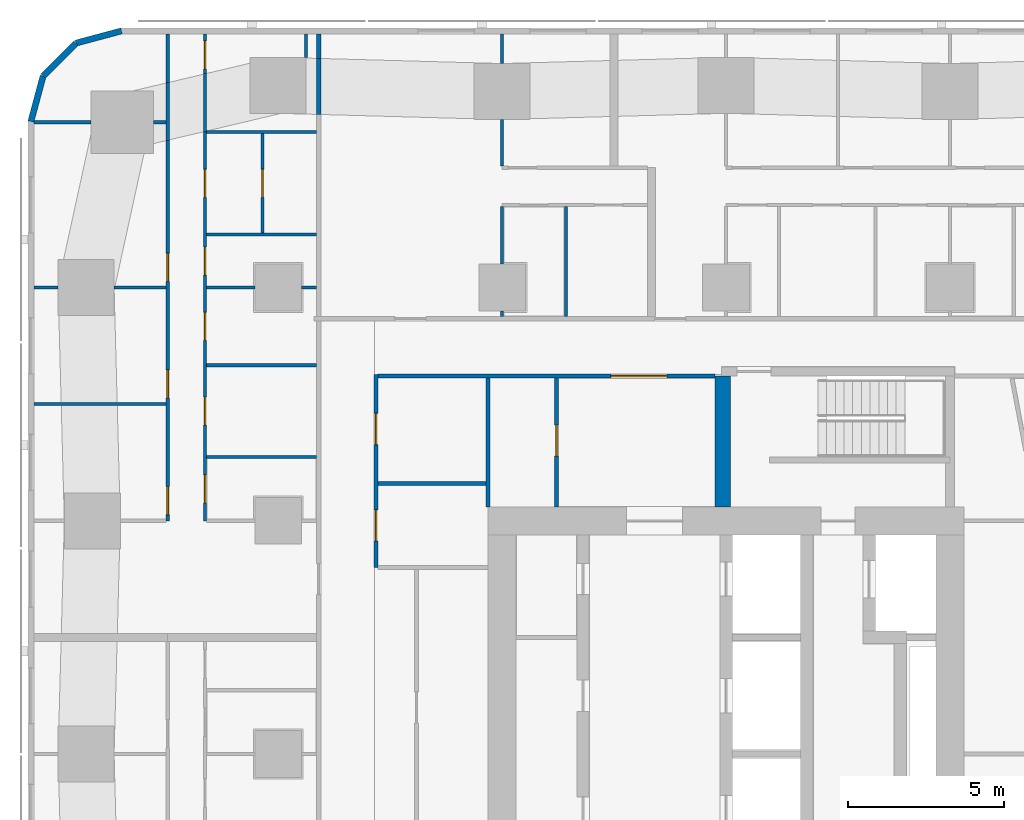
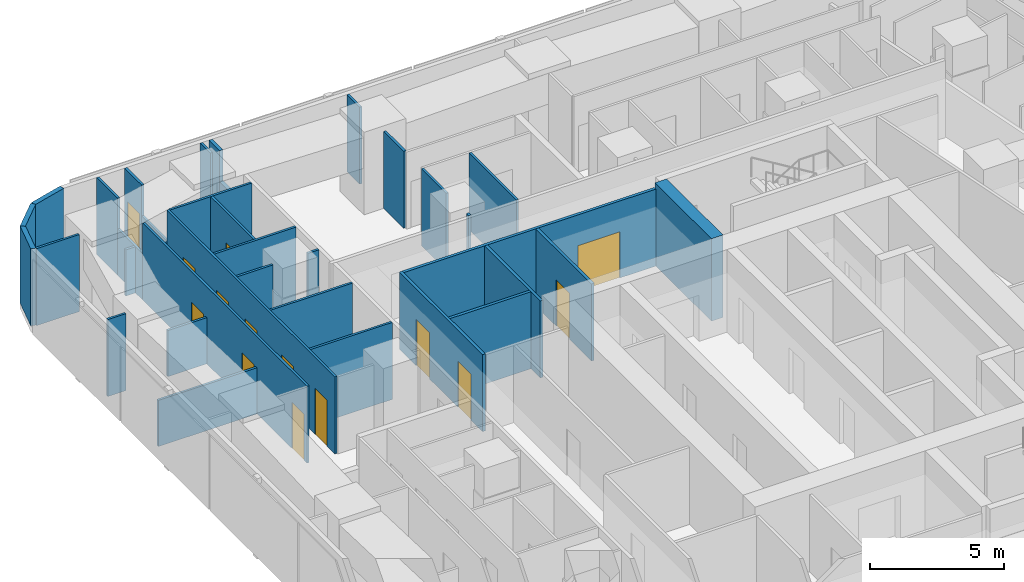
# One storey, part 9 of 15: 35 walls, 14 doors, 14 openings.
"""IFC4 building model written with IfcOpenShell, lengths in metres."""

from ifc_helpers import new_model, si_unit, direction, frame, frame_2d, origin, place, context, subcontext, project, spatial, rectangle, extrude, material, layer, layer_set, type_object, element, fill, save


model = new_model("IFC4")

# Units and contexts
model_context = context("Model", 3, precision=1e-05, world=origin(), true_north=direction((0.0, 1.0)))
body_context = subcontext(model_context, "Body", "Model", "MODEL_VIEW")
ifc_project = project(units=[si_unit("LENGTHUNIT", "METRE"), si_unit("AREAUNIT", "SQUARE_METRE"), si_unit("VOLUMEUNIT", "CUBIC_METRE"), si_unit("PLANEANGLEUNIT", "RADIAN"), si_unit("MASSUNIT", "GRAM", prefix="KILO")], contexts=[model_context])

# Site, building, storey
site_placement = place(None, origin())
site = spatial("IfcSite", under=ifc_project, at=site_placement, CompositionType="ELEMENT")
building_placement = place(site_placement, origin())
building = spatial("IfcBuilding", under=site, at=building_placement, Name="Sheger Commons Tower", CompositionType="ELEMENT")
storey_placement = place(building_placement, frame((0.0, 0.0, 158.300048828125)))
storey = spatial("IfcBuildingStorey", under=building, at=storey_placement, Name="L40", CompositionType="ELEMENT", Elevation=158.300048828125)

# Walls
ifc_material_1 = material(Name="Hollow concrete block masonry, skimmed both sides", Category="masonry")
ifc_layer_1 = layer(ifc_material_1, 0.14990234375)
ifc_layer_set_1 = layer_set([ifc_layer_1], Name="CORRIDOR WALL 150")
wall_type_1 = type_object("IfcWallType", Name="CORRIDOR WALL 150", PredefinedType="SOLIDWALL", material=ifc_layer_set_1)
wall_1_placement = place(storey_placement, frame((8.5, 43.06103515625, 0.0), z_axis=(0.0, 0.0, 1.0), x_axis=(0.0, 1.0, 0.0)))
element("IfcWall", 1, at=wall_1_placement, inside=storey, type_object=wall_type_1, Name="Corridor wall L40", PredefinedType="SOLIDWALL", context=body_context, shape_type="SweptSolid", body=[
    extrude(rectangle(XDim=1.804931640625, YDim=0.14990234375, at=frame_2d((0.90234375, 0.0))), origin(), (0.0, 0.0, 1.0), 2.099853515625),
])
wall_2_placement = place(storey_placement, frame((8.5, 44.865966796875, 0.0), z_axis=(0.0, 0.0, 1.0), x_axis=(0.0, 1.0, 0.0)))
element("IfcWall", 2, at=wall_2_placement, inside=storey, type_object=wall_type_1, Name="Corridor wall L40", PredefinedType="SOLIDWALL", context=body_context, shape_type="SweptSolid", body=[
    extrude(rectangle(XDim=0.783935546875, YDim=0.14990234375, at=frame_2d((0.39208984375, 0.0))), origin(), (0.0, 0.0, 1.0), 3.5),
])
ifc_material_2 = material(Name="Rendered concrete block masonry, dark grey", Category="masonry")
ifc_layer_2 = layer(ifc_material_2, 0.199951171875)
ifc_layer_set_2 = layer_set([ifc_layer_2], Name="FACADE WALL 200")
wall_type_2 = type_object("IfcWallType", Name="FACADE WALL 200", PredefinedType="SOLIDWALL", material=ifc_layer_set_2)
wall_3_placement = place(storey_placement, frame((2.1630859375, 45.75, 0.0), z_axis=(0.0, 0.0, 1.0), x_axis=(-0.965832000415, -0.259168954497, 0.0)))
element("IfcWall", 3, at=wall_3_placement, inside=storey, type_object=wall_type_2, Name="Facade wall L40", PredefinedType="SOLIDWALL", context=body_context, shape_type="SweptSolid", body=[
    extrude(rectangle(XDim=1.512939453125, YDim=0.199951171875, at=frame_2d((0.75634765625, 0.0))), origin(), (0.0, 0.0, 1.0), 3.5),
])
wall_4_placement = place(storey_placement, frame((0.701904296875, 45.35791015625, 0.0), z_axis=(0.0, 0.0, 1.0), x_axis=(-0.707106781187, -0.707106781187, 0.0)))
element("IfcWall", 4, at=wall_4_placement, inside=storey, type_object=wall_type_2, Name="Facade wall L40", PredefinedType="SOLIDWALL", context=body_context, shape_type="SweptSolid", body=[
    extrude(rectangle(XDim=1.498779296875, YDim=0.199951171875, at=frame_2d((0.74951171875, 0.0))), origin(), (0.0, 0.0, 1.0), 3.5),
])
wall_5_placement = place(storey_placement, frame((-0.35791015625, 44.298095703125, 0.0), z_axis=(0.0, 0.0, 1.0), x_axis=(-0.259168954497, -0.965832000415, 0.0)))
element("IfcWall", 5, at=wall_5_placement, inside=storey, type_object=wall_type_2, Name="Facade wall L40", PredefinedType="SOLIDWALL", context=body_context, shape_type="SweptSolid", body=[
    extrude(rectangle(XDim=1.512939453125, YDim=0.199951171875, at=frame_2d((0.75634765625, 0.0))), origin(), (0.0, 0.0, 1.0), 3.5),
])
ifc_material_3 = material(Name="Gypsum board on steel studs", Category="steel")
ifc_layer_3 = layer(ifc_material_3, 0.10009765625)
ifc_layer_set_3 = layer_set([ifc_layer_3], Name="PARTITION 100")
wall_type_3 = type_object("IfcWallType", Name="PARTITION 100", PredefinedType="PARTITIONING", material=ifc_layer_set_3)
wall_6_placement = place(storey_placement, frame((8.10009765625, 45.64990234375, 0.0), z_axis=(0.0, 0.0, 1.0), x_axis=(0.0, -1.0, 0.0)))
element("IfcWall", 6, at=wall_6_placement, inside=storey, type_object=wall_type_3, Name="Partition L40", PredefinedType="PARTITIONING", context=body_context, shape_type="SweptSolid", body=[
    extrude(rectangle(XDim=0.7490234375, YDim=0.10009765625, at=frame_2d((0.37451171875, 0.0))), origin(), (0.0, 0.0, 1.0), 3.5),
])

# Wall, openings, doors
wall_7_placement = place(storey_placement, frame((3.64990234375, 30.0, 0.0), z_axis=(0.0, 0.0, 1.0), x_axis=(0.0, 1.0, 0.0)))
wall_7 = element("IfcWall", 7, at=wall_7_placement, inside=storey, type_object=wall_type_3, Name="Partition L40", PredefinedType="PARTITIONING", context=body_context, shape_type="SweptSolid", body=[
    extrude(rectangle(XDim=12.22412109375, YDim=0.10009765625, at=frame_2d((6.112060546875, 0.0))), origin(), (0.0, 0.0, 1.0), 3.5),
])
opening_1_placement = place(wall_7_placement, frame((0.199951171875, 0.0, 0.0)))
opening_1 = element("IfcOpeningElement", 8, at=opening_1_placement, cuts=wall_7, Name="Opening D2", PredefinedType="OPENING", context=body_context, shape_type="SweptSolid", body=[
    extrude(rectangle(XDim=0.89990234375, YDim=2.10009765625, at=frame_2d((0.449951171875, 1.050048828125))), frame((0.0, 0.06005859375, 0.0), z_axis=(0.0, -1.0, 0.0), x_axis=(1.0, 0.0, 0.0)), (0.0, 0.0, 1.0), 0.1201171875),
])
opening_2_placement = place(wall_7_placement, frame((3.949951171875, 0.0, 0.0)))
opening_2 = element("IfcOpeningElement", 9, at=opening_2_placement, cuts=wall_7, Name="Opening D2", PredefinedType="OPENING", context=body_context, shape_type="SweptSolid", body=[
    extrude(rectangle(XDim=0.89990234375, YDim=2.10009765625, at=frame_2d((0.449951171875, 1.050048828125))), frame((0.0, 0.06005859375, 0.0), z_axis=(0.0, -1.0, 0.0), x_axis=(1.0, 0.0, 0.0)), (0.0, 0.0, 1.0), 0.1201171875),
])
opening_3_placement = place(wall_7_placement, frame((7.699951171875, 0.0, 0.0)))
opening_3 = element("IfcOpeningElement", 10, at=opening_3_placement, cuts=wall_7, Name="Opening D2", PredefinedType="OPENING", context=body_context, shape_type="SweptSolid", body=[
    extrude(rectangle(XDim=0.89990234375, YDim=2.10009765625, at=frame_2d((0.449951171875, 1.050048828125))), frame((0.0, 0.06005859375, 0.0), z_axis=(0.0, -1.0, 0.0), x_axis=(1.0, 0.0, 0.0)), (0.0, 0.0, 1.0), 0.1201171875),
])
ifc_material_4 = material(Name="Timber door set", Category="wood")
door_type_1 = type_object("IfcDoorType", Name="INTERNAL DOOR 900x2100", OperationType="NOTDEFINED", PredefinedType="DOOR", material=ifc_material_4)
door_1_placement = place(opening_1_placement, origin())
door_1 = element("IfcDoor", 11, at=door_1_placement, inside=storey, type_object=door_type_1, Name="Main bedroom door", OperationType="SINGLE_SWING_LEFT", OverallHeight=2.10009765625, OverallWidth=0.89990234375, PredefinedType="DOOR", context=body_context, shape_type="SweptSolid", body=[
    extrude(rectangle(XDim=0.89990234375, YDim=2.10009765625, at=frame_2d((0.449951171875, 1.050048828125))), frame((0.0, 0.02490234375, 0.0), z_axis=(0.0, -1.0, 0.0), x_axis=(1.0, 0.0, 0.0)), (0.0, 0.0, 1.0), 0.050048828125),
])
fill(opening_1, door_1)
door_2_placement = place(opening_2_placement, origin())
door_2 = element("IfcDoor", 12, at=door_2_placement, inside=storey, type_object=door_type_1, Name="Bedroom 2 door", OperationType="SINGLE_SWING_LEFT", OverallHeight=2.10009765625, OverallWidth=0.89990234375, PredefinedType="DOOR", context=body_context, shape_type="SweptSolid", body=[
    extrude(rectangle(XDim=0.89990234375, YDim=2.10009765625, at=frame_2d((0.449951171875, 1.050048828125))), frame((0.0, 0.02490234375, 0.0), z_axis=(0.0, -1.0, 0.0), x_axis=(1.0, 0.0, 0.0)), (0.0, 0.0, 1.0), 0.050048828125),
])
fill(opening_2, door_2)
door_3_placement = place(opening_3_placement, origin())
door_3 = element("IfcDoor", 13, at=door_3_placement, inside=storey, type_object=door_type_1, Name="Bedroom 3 door", OperationType="SINGLE_SWING_LEFT", OverallHeight=2.10009765625, OverallWidth=0.89990234375, PredefinedType="DOOR", context=body_context, shape_type="SweptSolid", body=[
    extrude(rectangle(XDim=0.89990234375, YDim=2.10009765625, at=frame_2d((0.449951171875, 1.050048828125))), frame((0.0, 0.02490234375, 0.0), z_axis=(0.0, -1.0, 0.0), x_axis=(1.0, 0.0, 0.0)), (0.0, 0.0, 1.0), 0.050048828125),
])
fill(opening_3, door_3)

# Walls
wall_8_placement = place(storey_placement, frame((3.64990234375, 42.22412109375, 0.0), z_axis=(0.0, 0.0, 1.0), x_axis=(0.0, 1.0, 0.0)))
element("IfcWall", 14, at=wall_8_placement, inside=storey, type_object=wall_type_3, Name="Partition L40", PredefinedType="PARTITIONING", context=body_context, shape_type="SweptSolid", body=[
    extrude(rectangle(XDim=1.872802734375, YDim=0.10009765625, at=frame_2d((0.9365234375, 0.0))), origin(), (0.0, 0.0, 1.0), 2.099853515625),
])
wall_9_placement = place(storey_placement, frame((3.64990234375, 44.096923828125, 0.0), z_axis=(0.0, 0.0, 1.0), x_axis=(0.0, 1.0, 0.0)))
element("IfcWall", 15, at=wall_9_placement, inside=storey, type_object=wall_type_3, Name="Partition L40", PredefinedType="PARTITIONING", context=body_context, shape_type="SweptSolid", body=[
    extrude(rectangle(XDim=1.552978515625, YDim=0.10009765625, at=frame_2d((0.7763671875, 0.0))), origin(), (0.0, 0.0, 1.0), 3.5),
])

# Wall, openings, doors
wall_10_placement = place(storey_placement, frame((4.85009765625, 30.0, 0.0), z_axis=(0.0, 0.0, 1.0), x_axis=(0.0, 1.0, 0.0)))
wall_10 = element("IfcWall", 16, at=wall_10_placement, inside=storey, type_object=wall_type_3, Name="Partition L40", PredefinedType="PARTITIONING", context=body_context, shape_type="SweptSolid", body=[
    extrude(rectangle(XDim=12.507080078125, YDim=0.10009765625, at=frame_2d((6.25341796875, 0.0))), origin(), (0.0, 0.0, 1.0), 3.5),
])
opening_4_placement = place(wall_10_placement, frame((0.574951171875, 0.0, 0.0)))
opening_4 = element("IfcOpeningElement", 17, at=opening_4_placement, cuts=wall_10, Name="Opening D2", PredefinedType="OPENING", context=body_context, shape_type="SweptSolid", body=[
    extrude(rectangle(XDim=0.89990234375, YDim=2.10009765625, at=frame_2d((0.449951171875, 1.050048828125))), frame((0.0, 0.06005859375, 0.0), z_axis=(0.0, -1.0, 0.0), x_axis=(1.0, 0.0, 0.0)), (0.0, 0.0, 1.0), 0.1201171875),
])
opening_5_placement = place(wall_10_placement, frame((5.799072265625, 0.0, 0.0)))
opening_5 = element("IfcOpeningElement", 18, at=opening_5_placement, cuts=wall_10, Name="Opening D2", PredefinedType="OPENING", context=body_context, shape_type="SweptSolid", body=[
    extrude(rectangle(XDim=0.89990234375, YDim=2.10009765625, at=frame_2d((0.449951171875, 1.050048828125))), frame((0.0, 0.06005859375, 0.0), z_axis=(0.0, -1.0, 0.0), x_axis=(1.0, 0.0, 0.0)), (0.0, 0.0, 1.0), 0.1201171875),
])
opening_6_placement = place(wall_10_placement, frame((7.89990234375, 0.0, 0.0)))
opening_6 = element("IfcOpeningElement", 19, at=opening_6_placement, cuts=wall_10, Name="Opening D2", PredefinedType="OPENING", context=body_context, shape_type="SweptSolid", body=[
    extrude(rectangle(XDim=0.89990234375, YDim=2.10009765625, at=frame_2d((0.449951171875, 1.050048828125))), frame((0.0, 0.06005859375, 0.0), z_axis=(0.0, -1.0, 0.0), x_axis=(1.0, 0.0, 0.0)), (0.0, 0.0, 1.0), 0.1201171875),
])
opening_7_placement = place(wall_10_placement, frame((3.074951171875, 0.0, 0.0)))
opening_7 = element("IfcOpeningElement", 20, at=opening_7_placement, cuts=wall_10, Name="Opening D2", PredefinedType="OPENING", context=body_context, shape_type="SweptSolid", body=[
    extrude(rectangle(XDim=0.89990234375, YDim=2.10009765625, at=frame_2d((0.449951171875, 1.050048828125))), frame((0.0, 0.06005859375, 0.0), z_axis=(0.0, -1.0, 0.0), x_axis=(1.0, 0.0, 0.0)), (0.0, 0.0, 1.0), 0.1201171875),
])
opening_8_placement = place(wall_10_placement, frame((10.39990234375, 0.0, 0.0)))
opening_8 = element("IfcOpeningElement", 21, at=opening_8_placement, cuts=wall_10, Name="Opening D2", PredefinedType="OPENING", context=body_context, shape_type="SweptSolid", body=[
    extrude(rectangle(XDim=0.89990234375, YDim=2.10009765625, at=frame_2d((0.449951171875, 1.050048828125))), frame((0.0, 0.06005859375, 0.0), z_axis=(0.0, -1.0, 0.0), x_axis=(1.0, 0.0, 0.0)), (0.0, 0.0, 1.0), 0.1201171875),
])
door_4_placement = place(opening_4_placement, origin())
door_4 = element("IfcDoor", 22, at=door_4_placement, inside=storey, type_object=door_type_1, Name="Bathroom door", OperationType="SINGLE_SWING_RIGHT", OverallHeight=2.10009765625, OverallWidth=0.89990234375, PredefinedType="DOOR", context=body_context, shape_type="SweptSolid", body=[
    extrude(rectangle(XDim=0.89990234375, YDim=2.10009765625, at=frame_2d((0.449951171875, 1.050048828125))), frame((0.0, 0.02490234375, 0.0), z_axis=(0.0, -1.0, 0.0), x_axis=(1.0, 0.0, 0.0)), (0.0, 0.0, 1.0), 0.050048828125),
])
fill(opening_4, door_4)
door_5_placement = place(opening_5_placement, origin())
door_5 = element("IfcDoor", 23, at=door_5_placement, inside=storey, type_object=door_type_1, Name="Store and laundry door", OperationType="SINGLE_SWING_RIGHT", OverallHeight=2.10009765625, OverallWidth=0.89990234375, PredefinedType="DOOR", context=body_context, shape_type="SweptSolid", body=[
    extrude(rectangle(XDim=0.89990234375, YDim=2.10009765625, at=frame_2d((0.449951171875, 1.050048828125))), frame((0.0, 0.02490234375, 0.0), z_axis=(0.0, -1.0, 0.0), x_axis=(1.0, 0.0, 0.0)), (0.0, 0.0, 1.0), 0.050048828125),
])
fill(opening_5, door_5)
door_6_placement = place(opening_6_placement, origin())
door_6 = element("IfcDoor", 24, at=door_6_placement, inside=storey, type_object=door_type_1, Name="Laundry room door", OperationType="SINGLE_SWING_RIGHT", OverallHeight=2.10009765625, OverallWidth=0.89990234375, PredefinedType="DOOR", context=body_context, shape_type="SweptSolid", body=[
    extrude(rectangle(XDim=0.89990234375, YDim=2.10009765625, at=frame_2d((0.449951171875, 1.050048828125))), frame((0.0, 0.02490234375, 0.0), z_axis=(0.0, -1.0, 0.0), x_axis=(1.0, 0.0, 0.0)), (0.0, 0.0, 1.0), 0.050048828125),
])
fill(opening_6, door_6)
door_7_placement = place(opening_7_placement, origin())
door_7 = element("IfcDoor", 25, at=door_7_placement, inside=storey, type_object=door_type_1, Name="Store door", OperationType="SINGLE_SWING_LEFT", OverallHeight=2.10009765625, OverallWidth=0.89990234375, PredefinedType="DOOR", context=body_context, shape_type="SweptSolid", body=[
    extrude(rectangle(XDim=0.89990234375, YDim=2.10009765625, at=frame_2d((0.449951171875, 1.050048828125))), frame((0.0, 0.02490234375, 0.0), z_axis=(0.0, -1.0, 0.0), x_axis=(1.0, 0.0, 0.0)), (0.0, 0.0, 1.0), 0.050048828125),
])
fill(opening_7, door_7)
door_8_placement = place(opening_8_placement, origin())
door_8 = element("IfcDoor", 26, at=door_8_placement, inside=storey, type_object=door_type_1, Name="Store door", OperationType="SINGLE_SWING_LEFT", OverallHeight=2.10009765625, OverallWidth=0.89990234375, PredefinedType="DOOR", context=body_context, shape_type="SweptSolid", body=[
    extrude(rectangle(XDim=0.89990234375, YDim=2.10009765625, at=frame_2d((0.449951171875, 1.050048828125))), frame((0.0, 0.02490234375, 0.0), z_axis=(0.0, -1.0, 0.0), x_axis=(1.0, 0.0, 0.0)), (0.0, 0.0, 1.0), 0.050048828125),
])
fill(opening_8, door_8)

# Wall
wall_11_placement = place(storey_placement, frame((4.85009765625, 42.507080078125, 0.0), z_axis=(0.0, 0.0, 1.0), x_axis=(0.0, 1.0, 0.0)))
element("IfcWall", 27, at=wall_11_placement, inside=storey, type_object=wall_type_3, Name="Partition L40", PredefinedType="PARTITIONING", context=body_context, shape_type="SweptSolid", body=[
    extrude(rectangle(XDim=1.8740234375, YDim=0.10009765625, at=frame_2d((0.93701171875, 0.0))), origin(), (0.0, 0.0, 1.0), 2.099853515625),
])

# Wall, opening, door
wall_12_placement = place(storey_placement, frame((4.85009765625, 44.381103515625, 0.0), z_axis=(0.0, 0.0, 1.0), x_axis=(0.0, 1.0, 0.0)))
wall_12 = element("IfcWall", 28, at=wall_12_placement, inside=storey, type_object=wall_type_3, Name="Partition L40", PredefinedType="PARTITIONING", context=body_context, shape_type="SweptSolid", body=[
    extrude(rectangle(XDim=1.268798828125, YDim=0.10009765625, at=frame_2d((0.63427734375, 0.0))), origin(), (0.0, 0.0, 1.0), 3.5),
])
opening_9_placement = place(wall_12_placement, frame((0.14990234375, 0.0, 0.0)))
opening_9 = element("IfcOpeningElement", 29, at=opening_9_placement, cuts=wall_12, Name="Opening D2", PredefinedType="OPENING", context=body_context, shape_type="SweptSolid", body=[
    extrude(rectangle(XDim=0.89990234375, YDim=2.10009765625, at=frame_2d((0.449951171875, 1.050048828125))), frame((0.0, 0.06005859375, 0.0), z_axis=(0.0, -1.0, 0.0), x_axis=(1.0, 0.0, 0.0)), (0.0, 0.0, 1.0), 0.1201171875),
])
door_9_placement = place(opening_9_placement, origin())
door_9 = element("IfcDoor", 30, at=door_9_placement, inside=storey, type_object=door_type_1, Name="Store and laundry door", OperationType="SINGLE_SWING_RIGHT", OverallHeight=2.10009765625, OverallWidth=0.89990234375, PredefinedType="DOOR", context=body_context, shape_type="SweptSolid", body=[
    extrude(rectangle(XDim=0.89990234375, YDim=2.10009765625, at=frame_2d((0.449951171875, 1.050048828125))), frame((0.0, 0.02490234375, 0.0), z_axis=(0.0, -1.0, 0.0), x_axis=(1.0, 0.0, 0.0)), (0.0, 0.0, 1.0), 0.050048828125),
])
fill(opening_9, door_9)

# Walls
wall_13_placement = place(storey_placement, frame((-0.64990234375, 33.75, 0.0), z_axis=(0.0, 0.0, 1.0), x_axis=(1.0, 0.0, 0.0)))
element("IfcWall", 31, at=wall_13_placement, inside=storey, type_object=wall_type_3, Name="Partition L40", PredefinedType="PARTITIONING", context=body_context, shape_type="SweptSolid", body=[
    extrude(rectangle(XDim=4.25, YDim=0.10009765625, at=frame_2d((2.125, 0.0))), origin(), (0.0, 0.0, 1.0), 2.099853515625),
])
wall_14_placement = place(storey_placement, frame((-0.64990234375, 37.5, 0.0), z_axis=(0.0, 0.0, 1.0), x_axis=(1.0, 0.0, 0.0)))
element("IfcWall", 32, at=wall_14_placement, inside=storey, type_object=wall_type_3, Name="Partition L40", PredefinedType="PARTITIONING", context=body_context, shape_type="SweptSolid", body=[
    extrude(rectangle(XDim=0.77392578125, YDim=0.10009765625, at=frame_2d((0.386962890625, 0.0))), origin(), (0.0, 0.0, 1.0), 3.5),
])
wall_15_placement = place(storey_placement, frame((1.926025390625, 37.5, 0.0), z_axis=(0.0, 0.0, 1.0), x_axis=(1.0, 0.0, 0.0)))
element("IfcWall", 33, at=wall_15_placement, inside=storey, type_object=wall_type_3, Name="Partition L40", PredefinedType="PARTITIONING", context=body_context, shape_type="SweptSolid", body=[
    extrude(rectangle(XDim=1.674072265625, YDim=0.10009765625, at=frame_2d((0.8369140625, 0.0))), origin(), (0.0, 0.0, 1.0), 2.099853515625),
])
wall_16_placement = place(storey_placement, frame((-0.64990234375, 42.81396484375, 0.0), z_axis=(0.0, 0.0, 1.0), x_axis=(1.0, 0.0, 0.0)))
element("IfcWall", 34, at=wall_16_placement, inside=storey, type_object=wall_type_3, Name="Partition L40", PredefinedType="PARTITIONING", context=body_context, shape_type="SweptSolid", body=[
    extrude(rectangle(XDim=1.8349609375, YDim=0.10009765625, at=frame_2d((0.91748046875, 0.0))), origin(), (0.0, 0.0, 1.0), 3.5),
])
wall_17_placement = place(storey_placement, frame((3.18701171875, 42.81396484375, 0.0), z_axis=(0.0, 0.0, 1.0), x_axis=(1.0, 0.0, 0.0)))
element("IfcWall", 35, at=wall_17_placement, inside=storey, type_object=wall_type_3, Name="Partition L40", PredefinedType="PARTITIONING", context=body_context, shape_type="SweptSolid", body=[
    extrude(rectangle(XDim=0.4130859375, YDim=0.10009765625, at=frame_2d((0.20654296875, 0.0))), origin(), (0.0, 0.0, 1.0), 2.099853515625),
])
wall_18_placement = place(storey_placement, frame((4.89990234375, 34.9990234375, 0.0), z_axis=(0.0, 0.0, 1.0), x_axis=(1.0, 0.0, 0.0)))
element("IfcWall", 36, at=wall_18_placement, inside=storey, type_object=wall_type_3, Name="Partition L40", PredefinedType="PARTITIONING", context=body_context, shape_type="SweptSolid", body=[
    extrude(rectangle(XDim=3.525146484375, YDim=0.10009765625, at=frame_2d((1.7626953125, 0.0))), origin(), (0.0, 0.0, 1.0), 3.5),
])
wall_19_placement = place(storey_placement, frame((4.89990234375, 37.5, 0.0), z_axis=(0.0, 0.0, 1.0), x_axis=(1.0, 0.0, 0.0)))
element("IfcWall", 37, at=wall_19_placement, inside=storey, type_object=wall_type_3, Name="Partition L40", PredefinedType="PARTITIONING", context=body_context, shape_type="SweptSolid", body=[
    extrude(rectangle(XDim=1.549072265625, YDim=0.10009765625, at=frame_2d((0.7744140625, 0.0))), origin(), (0.0, 0.0, 1.0), 3.5),
])
wall_20_placement = place(storey_placement, frame((7.950927734375, 37.5, 0.0), z_axis=(0.0, 0.0, 1.0), x_axis=(1.0, 0.0, 0.0)))
element("IfcWall", 38, at=wall_20_placement, inside=storey, type_object=wall_type_3, Name="Partition L40", PredefinedType="PARTITIONING", context=body_context, shape_type="SweptSolid", body=[
    extrude(rectangle(XDim=0.47412109375, YDim=0.10009765625, at=frame_2d((0.237060546875, 0.0))), origin(), (0.0, 0.0, 1.0), 3.5),
])
for number, where, z_axis, x_axis, name in (
    (39, (4.89990234375, 42.4990234375, 0.0), (0.0, 0.0, 1.0), (1.0, 0.0, 0.0), "Partition L40"),
    (40, (4.89990234375, 32.050048828125, 0.0), (0.0, 0.0, 1.0), (1.0, 0.0, 0.0), "Partition L40"),
    (41, (4.89990234375, 39.199951171875, 0.0), (0.0, 0.0, 1.0), (1.0, 0.0, 0.0), "Partition L40"),
):
    element("IfcWall", number, at=place(storey_placement, frame(where, z_axis=z_axis, x_axis=x_axis)), inside=storey, type_object=wall_type_3, Name=name, PredefinedType="PARTITIONING", context=body_context, shape_type="SweptSolid", body=[
        extrude(rectangle(XDim=3.525146484375, YDim=0.10009765625, at=frame_2d((1.7626953125, 0.0))), origin(), (0.0, 0.0, 1.0), 3.5),
    ])
wall_21_placement = place(storey_placement, frame((14.39990234375, 41.39990234375, 0.0), z_axis=(0.0, 0.0, 1.0), x_axis=(0.0, 1.0, 0.0)))
element("IfcWall", 42, at=wall_21_placement, inside=storey, type_object=wall_type_3, Name="Partition L40", PredefinedType="PARTITIONING", context=body_context, shape_type="SweptSolid", body=[
    extrude(rectangle(XDim=1.4990234375, YDim=0.10009765625, at=frame_2d((0.74951171875, 0.0))), origin(), (0.0, 0.0, 1.0), 3.5),
])
wall_22_placement = place(storey_placement, frame((14.39990234375, 44.700927734375, 0.0), z_axis=(0.0, 0.0, 1.0), x_axis=(0.0, 1.0, 0.0)))
element("IfcWall", 43, at=wall_22_placement, inside=storey, type_object=wall_type_3, Name="Partition L40", PredefinedType="PARTITIONING", context=body_context, shape_type="SweptSolid", body=[
    extrude(rectangle(XDim=0.948974609375, YDim=0.10009765625, at=frame_2d((0.474609375, 0.0))), origin(), (0.0, 0.0, 1.0), 3.5),
])
wall_23_placement = place(storey_placement, frame((14.39990234375, 36.574951171875, 0.0), z_axis=(0.0, 0.0, 1.0), x_axis=(0.0, 1.0, 0.0)))
element("IfcWall", 44, at=wall_23_placement, inside=storey, type_object=wall_type_3, Name="Partition L40", PredefinedType="PARTITIONING", context=body_context, shape_type="SweptSolid", body=[
    extrude(rectangle(XDim=0.174072265625, YDim=0.10009765625, at=frame_2d((0.0869140625, 0.0))), origin(), (0.0, 0.0, 1.0), 3.5),
])
wall_24_placement = place(storey_placement, frame((14.39990234375, 38.2509765625, 0.0), z_axis=(0.0, 0.0, 1.0), x_axis=(0.0, 1.0, 0.0)))
element("IfcWall", 45, at=wall_24_placement, inside=storey, type_object=wall_type_3, Name="Partition L40", PredefinedType="PARTITIONING", context=body_context, shape_type="SweptSolid", body=[
    extrude(rectangle(XDim=1.84912109375, YDim=0.10009765625, at=frame_2d((0.924560546875, 0.0))), origin(), (0.0, 0.0, 1.0), 3.5),
])
wall_25_placement = place(storey_placement, frame((16.449951171875, 36.574951171875, 0.0), z_axis=(0.0, 0.0, 1.0), x_axis=(0.0, 1.0, 0.0)))
element("IfcWall", 46, at=wall_25_placement, inside=storey, type_object=wall_type_3, Name="Partition L40", PredefinedType="PARTITIONING", context=body_context, shape_type="SweptSolid", body=[
    extrude(rectangle(XDim=3.525146484375, YDim=0.10009765625, at=frame_2d((1.7626953125, 0.0))), origin(), (0.0, 0.0, 1.0), 3.5),
])

# Wall, opening, door
wall_26_placement = place(storey_placement, frame((6.699951171875, 39.25, 0.0), z_axis=(0.0, 0.0, 1.0), x_axis=(0.0, 1.0, 0.0)))
wall_26 = element("IfcWall", 47, at=wall_26_placement, inside=storey, type_object=wall_type_3, Name="Partition L40", PredefinedType="PARTITIONING", context=body_context, shape_type="SweptSolid", body=[
    extrude(rectangle(XDim=3.198974609375, YDim=0.10009765625, at=frame_2d((1.599609375, 0.0))), origin(), (0.0, 0.0, 1.0), 3.5),
])
opening_10_placement = place(wall_26_placement, frame((1.14990234375, 0.0, 0.0)))
opening_10 = element("IfcOpeningElement", 48, at=opening_10_placement, cuts=wall_26, Name="Opening D2", PredefinedType="OPENING", context=body_context, shape_type="SweptSolid", body=[
    extrude(rectangle(XDim=0.89990234375, YDim=2.10009765625, at=frame_2d((0.449951171875, 1.050048828125))), frame((0.0, 0.06005859375, 0.0), z_axis=(0.0, -1.0, 0.0), x_axis=(1.0, 0.0, 0.0)), (0.0, 0.0, 1.0), 0.1201171875),
])
door_10_placement = place(opening_10_placement, origin())
door_10 = element("IfcDoor", 49, at=door_10_placement, inside=storey, type_object=door_type_1, Name="Store door", OperationType="SINGLE_SWING_LEFT", OverallHeight=2.10009765625, OverallWidth=0.89990234375, PredefinedType="DOOR", context=body_context, shape_type="SweptSolid", body=[
    extrude(rectangle(XDim=0.89990234375, YDim=2.10009765625, at=frame_2d((0.449951171875, 1.050048828125))), frame((0.0, 0.02490234375, 0.0), z_axis=(0.0, -1.0, 0.0), x_axis=(1.0, 0.0, 0.0)), (0.0, 0.0, 1.0), 0.050048828125),
])
fill(opening_10, door_10)

# Wall, openings, doors
ifc_material_5 = material(Name="Gypsum board on steel studs, two layers each side, fire rated", Category="steel")
ifc_layer_4 = layer(ifc_material_5, 0.125)
ifc_layer_set_4 = layer_set([ifc_layer_4], Name="SERVICE WALL 125")
wall_type_4 = type_object("IfcWallType", Name="SERVICE WALL 125", PredefinedType="PARTITIONING", material=ifc_layer_set_4)
wall_27_placement = place(storey_placement, frame((10.35009765625, 28.5, 0.0), z_axis=(0.0, 0.0, 1.0), x_axis=(0.0, 1.0, 0.0)))
wall_27 = element("IfcWall", 50, at=wall_27_placement, inside=storey, type_object=wall_type_4, Name="Service room wall L40", PredefinedType="PARTITIONING", context=body_context, shape_type="SweptSolid", body=[
    extrude(rectangle(XDim=6.199951171875, YDim=0.125, at=frame_2d((3.10009765625, 0.0))), origin(), (0.0, 0.0, 1.0), 3.5),
])
opening_11_placement = place(wall_27_placement, frame((0.85009765625, 0.0, 0.0)))
opening_11 = element("IfcOpeningElement", 51, at=opening_11_placement, cuts=wall_27, Name="Opening D4", PredefinedType="OPENING", context=body_context, shape_type="SweptSolid", body=[
    extrude(rectangle(XDim=1.0, YDim=2.10009765625, at=frame_2d((0.5, 1.050048828125))), frame((0.0, 0.072509765625, 0.0), z_axis=(0.0, -1.0, 0.0), x_axis=(1.0, 0.0, 0.0)), (0.0, 0.0, 1.0), 0.14501953125),
])
opening_12_placement = place(wall_27_placement, frame((3.949951171875, 0.0, 0.0)))
opening_12 = element("IfcOpeningElement", 52, at=opening_12_placement, cuts=wall_27, Name="Opening D4", PredefinedType="OPENING", context=body_context, shape_type="SweptSolid", body=[
    extrude(rectangle(XDim=1.0, YDim=2.10009765625, at=frame_2d((0.5, 1.050048828125))), frame((0.0, 0.072509765625, 0.0), z_axis=(0.0, -1.0, 0.0), x_axis=(1.0, 0.0, 0.0)), (0.0, 0.0, 1.0), 0.14501953125),
])
ifc_material_6 = material(Name="Steel door set, fire rated", Category="steel")
door_type_2 = type_object("IfcDoorType", Name="SERVICE DOOR 1000x2100", OperationType="NOTDEFINED", PredefinedType="DOOR", material=ifc_material_6)
door_11_placement = place(opening_11_placement, origin())
door_11 = element("IfcDoor", 53, at=door_11_placement, inside=storey, type_object=door_type_2, Name="Cleaner's store door", OperationType="SINGLE_SWING_RIGHT", OverallHeight=2.10009765625, OverallWidth=1.0, PredefinedType="DOOR", context=body_context, shape_type="SweptSolid", body=[
    extrude(rectangle(XDim=1.0, YDim=2.10009765625, at=frame_2d((0.5, 1.050048828125))), frame((0.0, 0.02490234375, 0.0), z_axis=(0.0, -1.0, 0.0), x_axis=(1.0, 0.0, 0.0)), (0.0, 0.0, 1.0), 0.050048828125),
])
fill(opening_11, door_11)
door_12_placement = place(opening_12_placement, origin())
door_12 = element("IfcDoor", 54, at=door_12_placement, inside=storey, type_object=door_type_2, Name="Linen store door", OperationType="SINGLE_SWING_LEFT", OverallHeight=2.10009765625, OverallWidth=1.0, PredefinedType="DOOR", context=body_context, shape_type="SweptSolid", body=[
    extrude(rectangle(XDim=1.0, YDim=2.10009765625, at=frame_2d((0.5, 1.050048828125))), frame((0.0, 0.02490234375, 0.0), z_axis=(0.0, -1.0, 0.0), x_axis=(1.0, 0.0, 0.0)), (0.0, 0.0, 1.0), 0.050048828125),
])
fill(opening_12, door_12)

# Walls
wall_28_placement = place(storey_placement, frame((10.4130859375, 31.199951171875, 0.0), z_axis=(0.0, 0.0, 1.0), x_axis=(1.0, 0.0, 0.0)))
element("IfcWall", 55, at=wall_28_placement, inside=storey, type_object=wall_type_4, Name="Service room wall L40", PredefinedType="PARTITIONING", context=body_context, shape_type="SweptSolid", body=[
    extrude(rectangle(XDim=3.474853515625, YDim=0.125, at=frame_2d((1.7373046875, 0.0))), origin(), (0.0, 0.0, 1.0), 3.5),
])
wall_29_placement = place(storey_placement, frame((13.949951171875, 30.449951171875, 0.0), z_axis=(0.0, 0.0, 1.0), x_axis=(0.0, 1.0, 0.0)))
element("IfcWall", 56, at=wall_29_placement, inside=storey, type_object=wall_type_4, Name="Service room wall L40", PredefinedType="PARTITIONING", context=body_context, shape_type="SweptSolid", body=[
    extrude(rectangle(XDim=4.136962890625, YDim=0.125, at=frame_2d((2.068359375, 0.0))), origin(), (0.0, 0.0, 1.0), 3.5),
])

# Wall, opening, door
wall_30_placement = place(storey_placement, frame((10.4130859375, 34.64990234375, 0.0), z_axis=(0.0, 0.0, 1.0), x_axis=(1.0, 0.0, 0.0)))
wall_30 = element("IfcWall", 57, at=wall_30_placement, inside=storey, type_object=wall_type_4, Name="Service room wall L40", PredefinedType="PARTITIONING", context=body_context, shape_type="SweptSolid", body=[
    extrude(rectangle(XDim=10.8369140625, YDim=0.125, at=frame_2d((5.41845703125, 0.0))), origin(), (0.0, 0.0, 1.0), 3.5),
])
opening_13_placement = place(wall_30_placement, frame((7.487060546875, 0.0, 0.0)))
opening_13 = element("IfcOpeningElement", 58, at=opening_13_placement, cuts=wall_30, Name="Opening D6", PredefinedType="OPENING", context=body_context, shape_type="SweptSolid", body=[
    extrude(rectangle(XDim=1.800048828125, YDim=2.10009765625, at=frame_2d((0.89990234375, 1.050048828125))), frame((0.0, 0.072509765625, 0.0), z_axis=(0.0, -1.0, 0.0), x_axis=(1.0, 0.0, 0.0)), (0.0, 0.0, 1.0), 0.14501953125),
])
ifc_material_7 = material(Name="Steel door set, fire rated", Category="steel")
door_type_3 = type_object("IfcDoorType", Name="LOBBY DOUBLE DOOR 1800x2100", OperationType="DOUBLE_DOOR_SINGLE_SWING", PredefinedType="DOOR", material=ifc_material_7)
door_13_placement = place(opening_13_placement, origin())
door_13 = element("IfcDoor", 59, at=door_13_placement, inside=storey, type_object=door_type_3, Name="Lift lobby north door", OperationType="DOUBLE_DOOR_SINGLE_SWING", OverallHeight=2.10009765625, OverallWidth=1.800048828125, PredefinedType="DOOR", context=body_context, shape_type="SweptSolid", body=[
    extrude(rectangle(XDim=1.800048828125, YDim=2.10009765625, at=frame_2d((0.89990234375, 1.050048828125))), frame((0.0, 0.02490234375, 0.0), z_axis=(0.0, -1.0, 0.0), x_axis=(1.0, 0.0, 0.0)), (0.0, 0.0, 1.0), 0.050048828125),
])
fill(opening_13, door_13)

wall_31_placement = place(storey_placement, frame((16.14990234375, 30.449951171875, 0.0), z_axis=(0.0, 0.0, 1.0), x_axis=(0.0, 1.0, 0.0)))
wall_31 = element("IfcWall", 60, at=wall_31_placement, inside=storey, type_object=wall_type_4, Name="Service room wall L40", PredefinedType="PARTITIONING", context=body_context, shape_type="SweptSolid", body=[
    extrude(rectangle(XDim=4.136962890625, YDim=0.125, at=frame_2d((2.068359375, 0.0))), origin(), (0.0, 0.0, 1.0), 3.5),
])
opening_14_placement = place(wall_31_placement, frame((1.625, 0.0, 0.0)))
opening_14 = element("IfcOpeningElement", 61, at=opening_14_placement, cuts=wall_31, Name="Opening D4", PredefinedType="OPENING", context=body_context, shape_type="SweptSolid", body=[
    extrude(rectangle(XDim=1.0, YDim=2.10009765625, at=frame_2d((0.5, 1.050048828125))), frame((0.0, 0.072509765625, 0.0), z_axis=(0.0, -1.0, 0.0), x_axis=(1.0, 0.0, 0.0)), (0.0, 0.0, 1.0), 0.14501953125),
])
door_14_placement = place(opening_14_placement, origin())
door_14 = element("IfcDoor", 62, at=door_14_placement, inside=storey, type_object=door_type_2, Name="Telecom room door", OperationType="SINGLE_SWING_RIGHT", OverallHeight=2.10009765625, OverallWidth=1.0, PredefinedType="DOOR", context=body_context, shape_type="SweptSolid", body=[
    extrude(rectangle(XDim=1.0, YDim=2.10009765625, at=frame_2d((0.5, 1.050048828125))), frame((0.0, 0.02490234375, 0.0), z_axis=(0.0, -1.0, 0.0), x_axis=(1.0, 0.0, 0.0)), (0.0, 0.0, 1.0), 0.050048828125),
])
fill(opening_14, door_14)

# Wall
ifc_material_8 = material(Name="Concrete C50/60", Category="concrete")
ifc_layer_5 = layer(ifc_material_8, 0.5)
ifc_layer_set_5 = layer_set([ifc_layer_5], Name="STAIR CORE WALL 500")
wall_type_5 = type_object("IfcWallType", Name="STAIR CORE WALL 500", PredefinedType="SHEAR", material=ifc_layer_set_5)
wall_32_placement = place(storey_placement, frame((21.5, 30.449951171875, 0.0), z_axis=(0.0, 0.0, 1.0), x_axis=(0.0, 1.0, 0.0)))
element("IfcWall", 63, at=wall_32_placement, inside=storey, type_object=wall_type_5, Name="STW-L40-S2W", PredefinedType="SHEAR", context=body_context, shape_type="SweptSolid", body=[
    extrude(rectangle(XDim=4.199951171875, YDim=0.5, at=frame_2d((2.10009765625, 0.0))), origin(), (0.0, 0.0, 1.0), 3.75),
])

save(model, "model.ifc")
